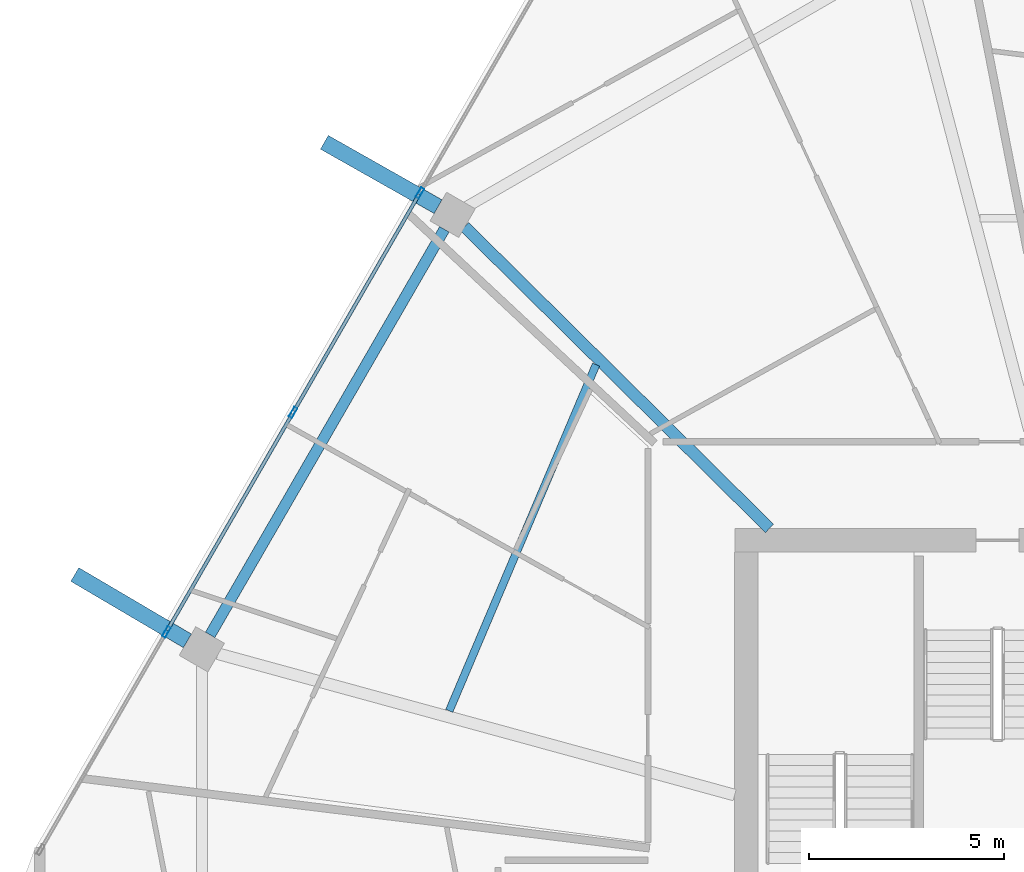
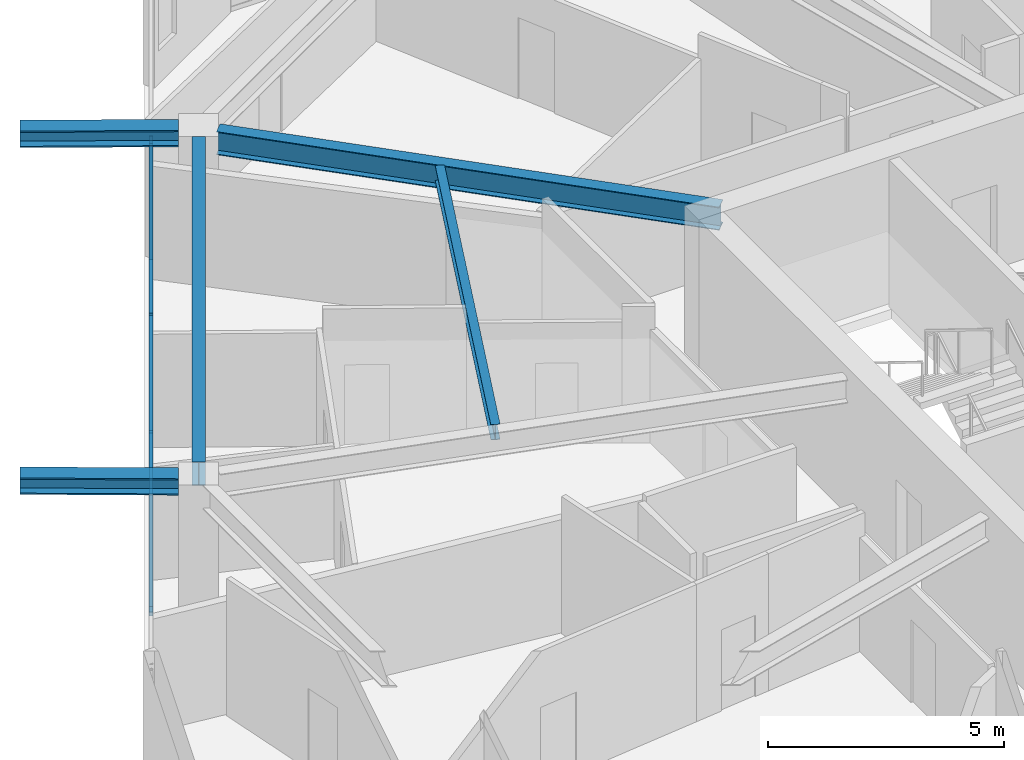
# One storey, part 11 of 27: 7 members, 5 beams, 1 element without a shape of its own.
"""IFC4 building model written with IfcOpenShell, lengths in metres."""

from ifc_helpers import new_model, si_unit, direction, frame, origin, origin_2d, place, context, subcontext, project, spatial, hollow_rectangle, i_section, extrude, material, material_profile, profile_set, type_object, element, aggregate, save


model = new_model("IFC4")

# Units and contexts
model_context = context("Model", 3, precision=1e-05, world=origin(), true_north=direction((0.0, 1.0)))
body_context = subcontext(model_context, "Body", "Model", "MODEL_VIEW")
ifc_project = project(units=[si_unit("LENGTHUNIT", "METRE"), si_unit("AREAUNIT", "SQUARE_METRE"), si_unit("VOLUMEUNIT", "CUBIC_METRE"), si_unit("PLANEANGLEUNIT", "RADIAN"), si_unit("MASSUNIT", "GRAM", prefix="KILO")], contexts=[model_context])

# Site, building, storey
site_placement = place(None, origin())
site = spatial("IfcSite", under=ifc_project, at=site_placement, CompositionType="ELEMENT")
building_placement = place(site_placement, origin())
building = spatial("IfcBuilding", under=site, at=building_placement, Name="Zuhravey Tower", CompositionType="ELEMENT")
storey_placement = place(building_placement, frame((0.0, 0.0, 265.39990234375)))
storey = spatial("IfcBuildingStorey", under=building, at=storey_placement, Name="L67", CompositionType="ELEMENT", Elevation=265.39990234375)

# Curtain wall, members
ifc_material_1 = material(Name="Thermally broken anodised aluminium", Category="aluminium")
curtain_wall_type = type_object("IfcCurtainWallType", Name="Zone 3-4 High-Rise Curtain Wall CW4", PredefinedType="NOTDEFINED", material=ifc_material_1)
curtain_wall_placement = place(storey_placement, origin())
curtain_wall = element("IfcCurtainWall", 1, at=curtain_wall_placement, inside=storey, type_object=curtain_wall_type, Name="L67 CW4 CW-L67-F3-1", PredefinedType="NOTDEFINED")
ifc_material_2 = material(Name="Anodised aluminium", Category="aluminium")
ifc_material_profile_1 = material_profile(ifc_material_2, hollow_rectangle(XDim=0.090087890625, YDim=0.284912109375, WallThickness=0.0048828125, at=origin_2d()), Name="ALU-RHS-90x285x5")
ifc_profile_set_1 = profile_set([ifc_material_profile_1], Name="Anodised aluminium")
member_type_1 = type_object("IfcMemberType", Name="Curtain-Wall Mullion 90x180", PredefinedType="MULLION", material=ifc_profile_set_1)
member_1_placement = place(storey_placement, frame((10.608154296875, 39.147216796875, 0.0), z_axis=(0.0, 0.0, 1.0), x_axis=(-0.866024851021, 0.500000957414, 0.0)))
member_1 = element("IfcMember", 2, at=member_1_placement, type_object=member_type_1, Name="CW4 mullion 2", PredefinedType="MULLION", context=body_context, shape_type="SweptSolid", body=[
    extrude(hollow_rectangle(XDim=0.090087890625, YDim=0.284912109375, WallThickness=0.0048828125, at=origin_2d()), origin(), (0.0, 0.0, 1.0), 3.1220703125),
])
member_2_placement = place(storey_placement, frame((13.861328125, 44.78173828125, 0.0), z_axis=(0.0, 0.0, 1.0), x_axis=(-0.866024851021, 0.500000957414, 0.0)))
member_2 = element("IfcMember", 3, at=member_2_placement, type_object=member_type_1, Name="CW4 mullion 3", PredefinedType="MULLION", context=body_context, shape_type="SweptSolid", body=[
    extrude(hollow_rectangle(XDim=0.090087890625, YDim=0.284912109375, WallThickness=0.0048828125, at=origin_2d()), origin(), (0.0, 0.0, 1.0), 3.1220703125),
])
member_3_placement = place(storey_placement, frame((17.114501953125, 50.41650390625, 0.0), z_axis=(0.0, 0.0, 1.0), x_axis=(-0.866024851021, 0.500000957414, 0.0)))
member_3 = element("IfcMember", 4, at=member_3_placement, type_object=member_type_1, Name="CW4 mullion 4", PredefinedType="MULLION", context=body_context, shape_type="SweptSolid", body=[
    extrude(hollow_rectangle(XDim=0.090087890625, YDim=0.284912109375, WallThickness=0.0048828125, at=origin_2d()), origin(), (0.0, 0.0, 1.0), 3.1220703125),
])
ifc_material_profile_2 = material_profile(ifc_material_2, hollow_rectangle(XDim=0.090087890625, YDim=0.14990234375, WallThickness=0.0048828125, at=origin_2d()), Name="ALU-RHS-90x150x5")
ifc_profile_set_2 = profile_set([ifc_material_profile_2], Name="Anodised aluminium")
member_type_2 = type_object("IfcMemberType", Name="Curtain-Wall Transom 90x150", PredefinedType="USERDEFINED", material=ifc_profile_set_2)
member_4_placement = place(storey_placement, frame((10.630615234375, 39.18603515625, 0.045166015625), z_axis=(0.499998017366, 0.866026548456, 0.0), x_axis=(-0.866026548456, 0.499998017366, 0.0)))
member_4 = element("IfcMember", 5, at=member_4_placement, type_object=member_type_2, Name="CW4 transom 2.1", ObjectType="TRANSOM", PredefinedType="USERDEFINED", context=body_context, shape_type="SweptSolid", body=[
    extrude(hollow_rectangle(XDim=0.090087890625, YDim=0.14990234375, WallThickness=0.0048828125, at=origin_2d()), origin(), (0.0, 0.0, 1.0), 6.41650390625),
])
member_5_placement = place(storey_placement, frame((10.630615234375, 39.18603515625, 3.0771484375), z_axis=(0.499998017366, 0.866026548456, 0.0), x_axis=(-0.866026548456, 0.499998017366, 0.0)))
member_5 = element("IfcMember", 6, at=member_5_placement, type_object=member_type_2, Name="CW4 transom 2.2", ObjectType="TRANSOM", PredefinedType="USERDEFINED", context=body_context, shape_type="SweptSolid", body=[
    extrude(hollow_rectangle(XDim=0.090087890625, YDim=0.14990234375, WallThickness=0.0048828125, at=origin_2d()), origin(), (0.0, 0.0, 1.0), 6.41650390625),
])
member_6_placement = place(storey_placement, frame((13.8837890625, 44.82080078125, 0.045166015625), z_axis=(0.500014493347, 0.866017035885, 0.0), x_axis=(-0.866017035885, 0.500014493347, 0.0)))
member_6 = element("IfcMember", 7, at=member_6_placement, type_object=member_type_2, Name="CW4 transom 3.1", ObjectType="TRANSOM", PredefinedType="USERDEFINED", context=body_context, shape_type="SweptSolid", body=[
    extrude(hollow_rectangle(XDim=0.090087890625, YDim=0.14990234375, WallThickness=0.0048828125, at=origin_2d()), origin(), (0.0, 0.0, 1.0), 6.416259765625),
])
member_7_placement = place(storey_placement, frame((13.8837890625, 44.82080078125, 3.0771484375), z_axis=(0.500014493347, 0.866017035885, 0.0), x_axis=(-0.866017035885, 0.500014493347, 0.0)))
member_7 = element("IfcMember", 8, at=member_7_placement, type_object=member_type_2, Name="CW4 transom 3.2", ObjectType="TRANSOM", PredefinedType="USERDEFINED", context=body_context, shape_type="SweptSolid", body=[
    extrude(hollow_rectangle(XDim=0.090087890625, YDim=0.14990234375, WallThickness=0.0048828125, at=origin_2d()), origin(), (0.0, 0.0, 1.0), 6.416259765625),
])
aggregate(curtain_wall, [member_1, member_2, member_3, member_4, member_5, member_6, member_7])

# Beams
ifc_material_3 = material(Name="Steel SM460", Category="steel")
ifc_material_profile_3 = material_profile(ifc_material_3, i_section(OverallWidth=0.406982421875, OverallDepth=0.427978515625, WebThickness=0.02001953125, FlangeThickness=0.034912109375, at=origin_2d()), Name="H-428x407x20x35")
ifc_profile_set_3 = profile_set([ifc_material_profile_3], Name="Steel SM460")
beam_type_1 = type_object("IfcBeamType", Name="Exoskeleton Node Tie Beam H428x407", PredefinedType="BEAM", material=ifc_profile_set_3)
beam_1_placement = place(storey_placement, frame((17.5830078125, 50.06591796875, 3.336181640625), z_axis=(-0.870370388745, 0.492397589755, 0.0), x_axis=(-0.492397589755, -0.870370388745, 0.0)))
element("IfcBeam", 9, at=beam_1_placement, inside=storey, type_object=beam_type_1, Name="L67 Exoskeleton Node Tie NT1-05", PredefinedType="BEAM", context=body_context, shape_type="SweptSolid", body=[
    extrude(i_section(OverallWidth=0.406982421875, OverallDepth=0.427978515625, WebThickness=0.02001953125, FlangeThickness=0.034912109375, at=origin_2d()), origin(), (0.0, 0.0, 1.0), 3.356201171875),
])
beam_2_placement = place(storey_placement, frame((11.145751953125, 38.916748046875, 3.336181640625), z_axis=(-0.861649812726, 0.507503300707, 0.0), x_axis=(-0.507503300707, -0.861649812726, 0.0)))
element("IfcBeam", 10, at=beam_2_placement, inside=storey, type_object=beam_type_1, Name="L67 Exoskeleton Node Tie NT1-06", PredefinedType="BEAM", context=body_context, shape_type="SweptSolid", body=[
    extrude(i_section(OverallWidth=0.406982421875, OverallDepth=0.427978515625, WebThickness=0.02001953125, FlangeThickness=0.034912109375, at=origin_2d()), origin(), (0.0, 0.0, 1.0), 3.35595703125),
])
ifc_material_4 = material(Name="Steel SM355", Category="steel")
ifc_material_profile_4 = material_profile(ifc_material_4, i_section(OverallWidth=0.280029296875, OverallDepth=0.6201171875, WebThickness=0.011962890625, FlangeThickness=0.02001953125, at=origin_2d()), Name="H-620x280x12x20")
ifc_profile_set_4 = profile_set([ifc_material_profile_4], Name="Steel SM355")
beam_type_2 = type_object("IfcBeamType", Name="Perimeter Ring Beam H620x280", PredefinedType="BEAM", material=ifc_profile_set_4)
beam_3_placement = place(storey_placement, frame((17.742431640625, 49.484130859375, 3.239990234375), z_axis=(-0.500005971936, -0.866021955858, 0.0), x_axis=(0.866021955858, -0.500005971936, 0.0)))
element("IfcBeam", 11, at=beam_3_placement, inside=storey, type_object=beam_type_2, Name="L67 PB3 BM-L67-PB-05", PredefinedType="BEAM", context=body_context, shape_type="SweptSolid", body=[
    extrude(i_section(OverallWidth=0.280029296875, OverallDepth=0.6201171875, WebThickness=0.011962890625, FlangeThickness=0.02001953125, at=origin_2d()), origin(), (0.0, 0.0, 1.0), 12.025634765625),
])
ifc_material_profile_5 = material_profile(ifc_material_4, i_section(OverallWidth=0.300048828125, OverallDepth=0.60009765625, WebThickness=0.011962890625, FlangeThickness=0.02001953125, at=origin_2d()), Name="H-600x300x12x20")
ifc_profile_set_5 = profile_set([ifc_material_profile_5], Name="Steel SM355")
beam_type_3 = type_object("IfcBeamType", Name="Radial Primary Girder H600x300", PredefinedType="BEAM", material=ifc_profile_set_5)
beam_4_placement = place(storey_placement, frame((26.09326171875, 41.802978515625, 3.25), z_axis=(-0.710808169267, 0.70338591577, 0.0), x_axis=(-0.70338591577, -0.710808169267, 0.0)))
element("IfcBeam", 12, at=beam_4_placement, inside=storey, type_object=beam_type_3, Name="L67 RG3 BM-L67-RAD-05", PredefinedType="BEAM", context=body_context, shape_type="SweptSolid", body=[
    extrude(i_section(OverallWidth=0.300048828125, OverallDepth=0.60009765625, WebThickness=0.011962890625, FlangeThickness=0.02001953125, at=origin_2d()), origin(), (0.0, 0.0, 1.0), 11.019287109375),
])
ifc_material_profile_6 = material_profile(ifc_material_4, i_section(OverallWidth=0.199951171875, OverallDepth=0.39990234375, WebThickness=0.008056640625, FlangeThickness=0.012939453125, at=origin_2d()), Name="H-400x200x8x13")
ifc_profile_set_6 = profile_set([ifc_material_profile_6], Name="Steel SM355")
beam_type_4 = type_object("IfcBeamType", Name="Secondary Floor Joist H400x200", PredefinedType="JOIST", material=ifc_profile_set_6)
beam_5_placement = place(storey_placement, frame((21.63916015625, 46.009033203125, 3.35009765625), z_axis=(-0.390413493754, -0.920639616731, 0.0), x_axis=(0.920639616731, -0.390413493754, 0.0)))
element("IfcBeam", 13, at=beam_5_placement, inside=storey, type_object=beam_type_4, Name="L67 SJ2 BM-L67-SJ-05-1", PredefinedType="JOIST", context=body_context, shape_type="SweptSolid", body=[
    extrude(i_section(OverallWidth=0.199951171875, OverallDepth=0.39990234375, WebThickness=0.008056640625, FlangeThickness=0.012939453125, at=origin_2d()), origin(), (0.0, 0.0, 1.0), 9.656494140625),
])

save(model, "model.ifc")
